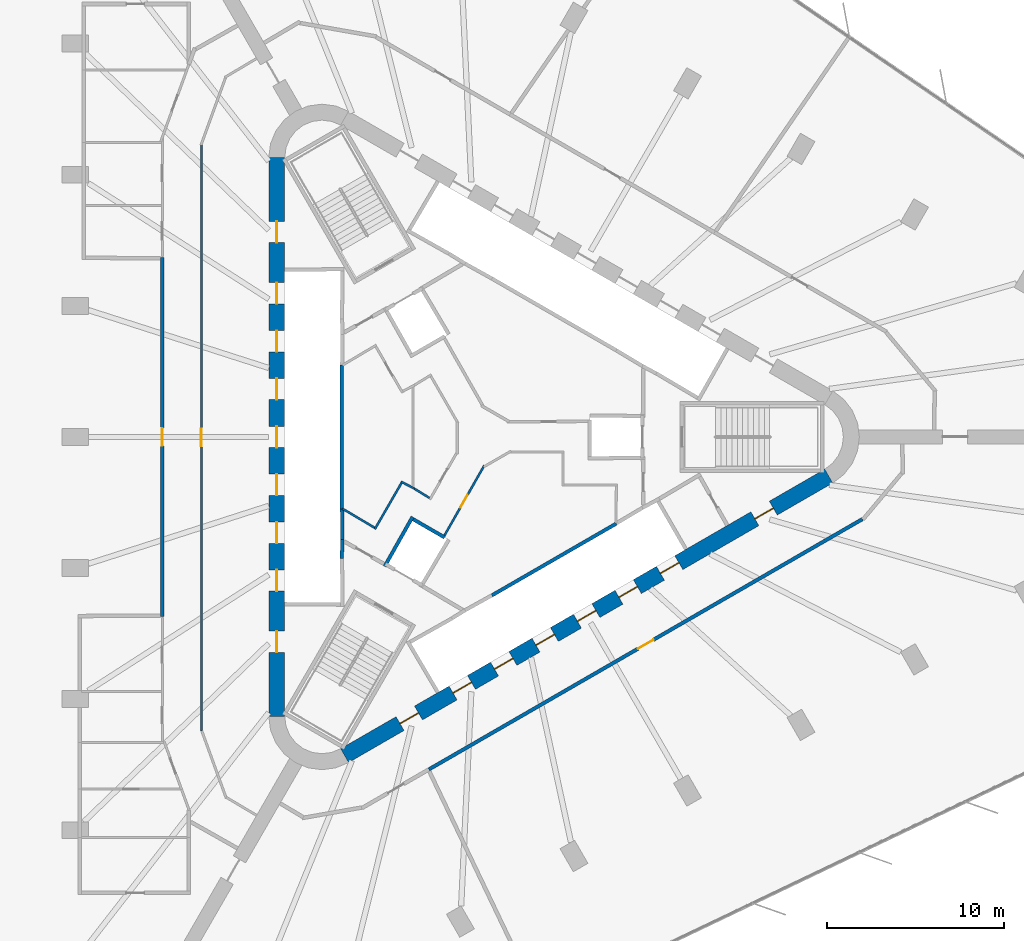
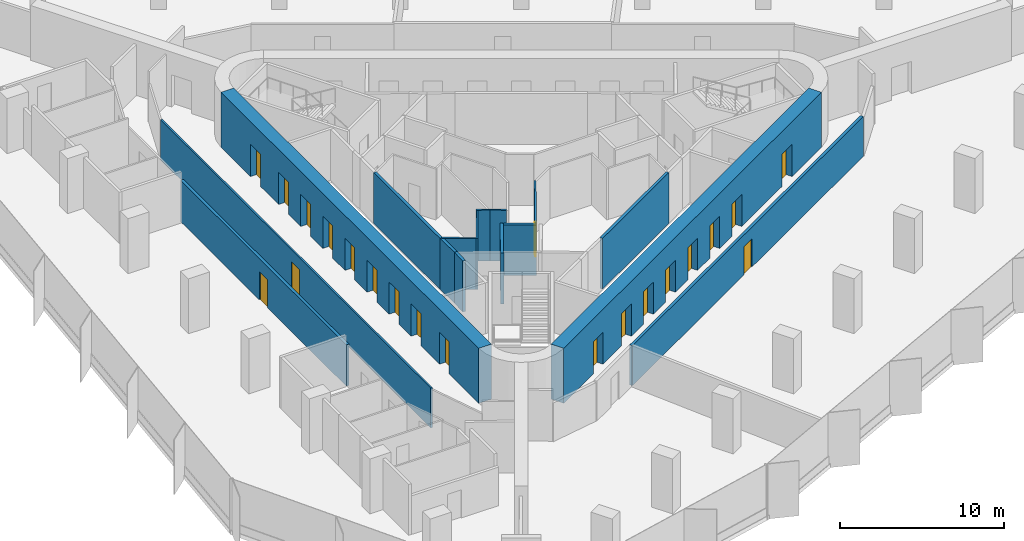
# One storey, part 10 of 15: 21 doors, 16 walls, 21 openings.
"""IFC4 building model written with IfcOpenShell, lengths in metres."""

from ifc_helpers import new_model, si_unit, direction, frame, frame_2d, origin, place, context, subcontext, project, spatial, rectangle, extrude, material, layer, layer_set, type_object, element, fill, save


model = new_model("IFC4")

# Units and contexts
model_context = context("Model", 3, precision=1e-05, world=origin(), true_north=direction((0.0, 1.0)))
body_context = subcontext(model_context, "Body", "Model", "MODEL_VIEW")
ifc_project = project(units=[si_unit("LENGTHUNIT", "METRE"), si_unit("AREAUNIT", "SQUARE_METRE"), si_unit("VOLUMEUNIT", "CUBIC_METRE"), si_unit("PLANEANGLEUNIT", "RADIAN"), si_unit("MASSUNIT", "GRAM", prefix="KILO")], contexts=[model_context])

# Site, building, storey
site_placement = place(None, origin())
site = spatial("IfcSite", under=ifc_project, at=site_placement, CompositionType="ELEMENT")
building_placement = place(site_placement, origin())
building = spatial("IfcBuilding", under=site, at=building_placement, Name="Tanit Gate Tower", CompositionType="ELEMENT")
storey_placement = place(building_placement, frame((0.0, 0.0, 102.89990234375)))
storey = spatial("IfcBuildingStorey", under=building, at=storey_placement, Name="L21", CompositionType="ELEMENT", Elevation=102.89990234375)

# Wall, openings, doors
ifc_material_1 = material(Name="Concrete C60/75", Category="concrete")
ifc_layer_1 = layer(ifc_material_1, 0.89990234375)
ifc_layer_set_1 = layer_set([ifc_layer_1], Name="CORE WALL 900 C60/75")
wall_type_1 = type_object("IfcWallType", Name="CORE WALL 900 C60/75", PredefinedType="SHEAR", material=ifc_layer_set_1)
wall_1_placement = place(storey_placement, frame((-11.64990234375, 15.76171875, 0.0), z_axis=(0.0, 0.0, 1.0), x_axis=(0.0, -1.0, 0.0)))
wall_1 = element("IfcWall", 1, at=wall_1_placement, inside=storey, type_object=wall_type_1, Name="CORE WALL", PredefinedType="SHEAR", context=body_context, shape_type="SweptSolid", body=[
    extrude(rectangle(XDim=31.5234375, YDim=0.89990234375, at=frame_2d((15.76171875, 0.0))), origin(), (0.0, 0.0, 1.0), 4.10009765625),
])
opening_1_placement = place(wall_1_placement, frame((7.061767578125, 0.0, 0.0)))
opening_1 = element("IfcOpeningElement", 2, at=opening_1_placement, cuts=wall_1, Name="Opening LDLL1-S04", PredefinedType="OPENING", context=body_context, shape_type="SweptSolid", body=[
    extrude(rectangle(XDim=1.199951171875, YDim=2.39990234375, at=frame_2d((0.60009765625, 1.199951171875))), frame((0.0, 0.4599609375, 0.0), z_axis=(0.0, -1.0, 0.0), x_axis=(1.0, 0.0, 0.0)), (0.0, 0.0, 1.0), 0.919921875),
])
opening_2_placement = place(wall_1_placement, frame((9.76171875, 0.0, 0.0)))
opening_2 = element("IfcOpeningElement", 3, at=opening_2_placement, cuts=wall_1, Name="Opening LDLL2-S04", PredefinedType="OPENING", context=body_context, shape_type="SweptSolid", body=[
    extrude(rectangle(XDim=1.199951171875, YDim=2.39990234375, at=frame_2d((0.60009765625, 1.199951171875))), frame((0.0, 0.4599609375, 0.0), z_axis=(0.0, -1.0, 0.0), x_axis=(1.0, 0.0, 0.0)), (0.0, 0.0, 1.0), 0.919921875),
])
opening_3_placement = place(wall_1_placement, frame((12.461669921875, 0.0, 0.0)))
opening_3 = element("IfcOpeningElement", 4, at=opening_3_placement, cuts=wall_1, Name="Opening LDLL3-S04", PredefinedType="OPENING", context=body_context, shape_type="SweptSolid", body=[
    extrude(rectangle(XDim=1.199951171875, YDim=2.39990234375, at=frame_2d((0.60009765625, 1.199951171875))), frame((0.0, 0.4599609375, 0.0), z_axis=(0.0, -1.0, 0.0), x_axis=(1.0, 0.0, 0.0)), (0.0, 0.0, 1.0), 0.919921875),
])
opening_4_placement = place(wall_1_placement, frame((15.16162109375, 0.0, 0.0)))
opening_4 = element("IfcOpeningElement", 5, at=opening_4_placement, cuts=wall_1, Name="Opening LDLL4-S04", PredefinedType="OPENING", context=body_context, shape_type="SweptSolid", body=[
    extrude(rectangle(XDim=1.199951171875, YDim=2.39990234375, at=frame_2d((0.60009765625, 1.199951171875))), frame((0.0, 0.4599609375, 0.0), z_axis=(0.0, -1.0, 0.0), x_axis=(1.0, 0.0, 0.0)), (0.0, 0.0, 1.0), 0.919921875),
])
opening_5_placement = place(wall_1_placement, frame((17.86181640625, 0.0, 0.0)))
opening_5 = element("IfcOpeningElement", 6, at=opening_5_placement, cuts=wall_1, Name="Opening LDLL5-S04", PredefinedType="OPENING", context=body_context, shape_type="SweptSolid", body=[
    extrude(rectangle(XDim=1.199951171875, YDim=2.39990234375, at=frame_2d((0.60009765625, 1.199951171875))), frame((0.0, 0.4599609375, 0.0), z_axis=(0.0, -1.0, 0.0), x_axis=(1.0, 0.0, 0.0)), (0.0, 0.0, 1.0), 0.919921875),
])
opening_6_placement = place(wall_1_placement, frame((20.561767578125, 0.0, 0.0)))
opening_6 = element("IfcOpeningElement", 7, at=opening_6_placement, cuts=wall_1, Name="Opening LDLL6-S04", PredefinedType="OPENING", context=body_context, shape_type="SweptSolid", body=[
    extrude(rectangle(XDim=1.199951171875, YDim=2.39990234375, at=frame_2d((0.60009765625, 1.199951171875))), frame((0.0, 0.4599609375, 0.0), z_axis=(0.0, -1.0, 0.0), x_axis=(1.0, 0.0, 0.0)), (0.0, 0.0, 1.0), 0.919921875),
])
opening_7_placement = place(wall_1_placement, frame((23.26171875, 0.0, 0.0)))
opening_7 = element("IfcOpeningElement", 8, at=opening_7_placement, cuts=wall_1, Name="Opening LDLL7-S04", PredefinedType="OPENING", context=body_context, shape_type="SweptSolid", body=[
    extrude(rectangle(XDim=1.199951171875, YDim=2.39990234375, at=frame_2d((0.60009765625, 1.199951171875))), frame((0.0, 0.4599609375, 0.0), z_axis=(0.0, -1.0, 0.0), x_axis=(1.0, 0.0, 0.0)), (0.0, 0.0, 1.0), 0.919921875),
])
opening_8_placement = place(wall_1_placement, frame((3.61181640625, 0.0, 0.0)))
opening_8 = element("IfcOpeningElement", 9, at=opening_8_placement, cuts=wall_1, Name="Opening F12-S04-FL2", PredefinedType="OPENING", context=body_context, shape_type="SweptSolid", body=[
    extrude(rectangle(XDim=1.199951171875, YDim=2.39990234375, at=frame_2d((0.60009765625, 1.199951171875))), frame((0.0, 0.4599609375, 0.0), z_axis=(0.0, -1.0, 0.0), x_axis=(1.0, 0.0, 0.0)), (0.0, 0.0, 1.0), 0.919921875),
])
opening_9_placement = place(wall_1_placement, frame((26.711669921875, 0.0, 0.0)))
opening_9 = element("IfcOpeningElement", 10, at=opening_9_placement, cuts=wall_1, Name="Opening F12-S04-S3", PredefinedType="OPENING", context=body_context, shape_type="SweptSolid", body=[
    extrude(rectangle(XDim=1.199951171875, YDim=2.39990234375, at=frame_2d((0.60009765625, 1.199951171875))), frame((0.0, 0.4599609375, 0.0), z_axis=(0.0, -1.0, 0.0), x_axis=(1.0, 0.0, 0.0)), (0.0, 0.0, 1.0), 0.919921875),
])
ifc_material_2 = material(Name="Fire-rated steel door leaf", Category="steel")
door_type_1 = type_object("IfcDoorType", Name="INT-DOOR-FIRE-LOBBY-1200", OperationType="NOTDEFINED", PredefinedType="USERDEFINED", material=ifc_material_2)
door_1_placement = place(opening_8_placement, origin())
door_1 = element("IfcDoor", 11, at=door_1_placement, inside=storey, type_object=door_type_1, Name="Door F12-S04-FL2", ObjectType="FIRE DOOR", OperationType="SINGLE_SWING_LEFT", OverallHeight=2.39990234375, OverallWidth=1.199951171875, PredefinedType="USERDEFINED", context=body_context, shape_type="SweptSolid", body=[
    extrude(rectangle(XDim=1.199951171875, YDim=2.39990234375, at=frame_2d((0.60009765625, 1.199951171875))), frame((0.0, 0.02490234375, 0.0), z_axis=(0.0, -1.0, 0.0), x_axis=(1.0, 0.0, 0.0)), (0.0, 0.0, 1.0), 0.050048828125),
])
fill(opening_8, door_1)
door_2_placement = place(opening_9_placement, origin())
door_2 = element("IfcDoor", 12, at=door_2_placement, inside=storey, type_object=door_type_1, Name="Door F12-S04-S3", ObjectType="FIRE DOOR", OperationType="SINGLE_SWING_RIGHT", OverallHeight=2.39990234375, OverallWidth=1.199951171875, PredefinedType="USERDEFINED", context=body_context, shape_type="SweptSolid", body=[
    extrude(rectangle(XDim=1.199951171875, YDim=2.39990234375, at=frame_2d((0.60009765625, 1.199951171875))), frame((0.0, 0.02490234375, 0.0), z_axis=(0.0, -1.0, 0.0), x_axis=(1.0, 0.0, 0.0)), (0.0, 0.0, 1.0), 0.050048828125),
])
fill(opening_9, door_2)
ifc_material_3 = material(Name="Stainless steel sliding door leaf", Category="steel")
door_type_2 = type_object("IfcDoorType", Name="INT-DOOR-LANDING-1200", OperationType="NOTDEFINED", PredefinedType="USERDEFINED", material=ifc_material_3)
door_3_placement = place(opening_1_placement, origin())
door_3 = element("IfcDoor", 13, at=door_3_placement, inside=storey, type_object=door_type_2, Name="Door LDLL1-S04", ObjectType="LANDING DOOR", OperationType="SLIDING_TO_LEFT", OverallHeight=2.39990234375, OverallWidth=1.199951171875, PredefinedType="USERDEFINED", context=body_context, shape_type="SweptSolid", body=[
    extrude(rectangle(XDim=1.199951171875, YDim=2.39990234375, at=frame_2d((0.60009765625, 1.199951171875))), frame((0.0, 0.02490234375, 0.0), z_axis=(0.0, -1.0, 0.0), x_axis=(1.0, 0.0, 0.0)), (0.0, 0.0, 1.0), 0.050048828125),
])
fill(opening_1, door_3)
door_4_placement = place(opening_2_placement, origin())
door_4 = element("IfcDoor", 14, at=door_4_placement, inside=storey, type_object=door_type_2, Name="Door LDLL2-S04", ObjectType="LANDING DOOR", OperationType="SLIDING_TO_LEFT", OverallHeight=2.39990234375, OverallWidth=1.199951171875, PredefinedType="USERDEFINED", context=body_context, shape_type="SweptSolid", body=[
    extrude(rectangle(XDim=1.199951171875, YDim=2.39990234375, at=frame_2d((0.60009765625, 1.199951171875))), frame((0.0, 0.02490234375, 0.0), z_axis=(0.0, -1.0, 0.0), x_axis=(1.0, 0.0, 0.0)), (0.0, 0.0, 1.0), 0.050048828125),
])
fill(opening_2, door_4)
door_5_placement = place(opening_3_placement, origin())
door_5 = element("IfcDoor", 15, at=door_5_placement, inside=storey, type_object=door_type_2, Name="Door LDLL3-S04", ObjectType="LANDING DOOR", OperationType="SLIDING_TO_LEFT", OverallHeight=2.39990234375, OverallWidth=1.199951171875, PredefinedType="USERDEFINED", context=body_context, shape_type="SweptSolid", body=[
    extrude(rectangle(XDim=1.199951171875, YDim=2.39990234375, at=frame_2d((0.60009765625, 1.199951171875))), frame((0.0, 0.02490234375, 0.0), z_axis=(0.0, -1.0, 0.0), x_axis=(1.0, 0.0, 0.0)), (0.0, 0.0, 1.0), 0.050048828125),
])
fill(opening_3, door_5)
door_6_placement = place(opening_4_placement, origin())
door_6 = element("IfcDoor", 16, at=door_6_placement, inside=storey, type_object=door_type_2, Name="Door LDLL4-S04", ObjectType="LANDING DOOR", OperationType="SLIDING_TO_LEFT", OverallHeight=2.39990234375, OverallWidth=1.199951171875, PredefinedType="USERDEFINED", context=body_context, shape_type="SweptSolid", body=[
    extrude(rectangle(XDim=1.199951171875, YDim=2.39990234375, at=frame_2d((0.60009765625, 1.199951171875))), frame((0.0, 0.02490234375, 0.0), z_axis=(0.0, -1.0, 0.0), x_axis=(1.0, 0.0, 0.0)), (0.0, 0.0, 1.0), 0.050048828125),
])
fill(opening_4, door_6)
door_7_placement = place(opening_5_placement, origin())
door_7 = element("IfcDoor", 17, at=door_7_placement, inside=storey, type_object=door_type_2, Name="Door LDLL5-S04", ObjectType="LANDING DOOR", OperationType="SLIDING_TO_LEFT", OverallHeight=2.39990234375, OverallWidth=1.199951171875, PredefinedType="USERDEFINED", context=body_context, shape_type="SweptSolid", body=[
    extrude(rectangle(XDim=1.199951171875, YDim=2.39990234375, at=frame_2d((0.60009765625, 1.199951171875))), frame((0.0, 0.02490234375, 0.0), z_axis=(0.0, -1.0, 0.0), x_axis=(1.0, 0.0, 0.0)), (0.0, 0.0, 1.0), 0.050048828125),
])
fill(opening_5, door_7)
door_8_placement = place(opening_6_placement, origin())
door_8 = element("IfcDoor", 18, at=door_8_placement, inside=storey, type_object=door_type_2, Name="Door LDLL6-S04", ObjectType="LANDING DOOR", OperationType="SLIDING_TO_LEFT", OverallHeight=2.39990234375, OverallWidth=1.199951171875, PredefinedType="USERDEFINED", context=body_context, shape_type="SweptSolid", body=[
    extrude(rectangle(XDim=1.199951171875, YDim=2.39990234375, at=frame_2d((0.60009765625, 1.199951171875))), frame((0.0, 0.02490234375, 0.0), z_axis=(0.0, -1.0, 0.0), x_axis=(1.0, 0.0, 0.0)), (0.0, 0.0, 1.0), 0.050048828125),
])
fill(opening_6, door_8)
door_9_placement = place(opening_7_placement, origin())
door_9 = element("IfcDoor", 19, at=door_9_placement, inside=storey, type_object=door_type_2, Name="Door LDLL7-S04", ObjectType="LANDING DOOR", OperationType="SLIDING_TO_LEFT", OverallHeight=2.39990234375, OverallWidth=1.199951171875, PredefinedType="USERDEFINED", context=body_context, shape_type="SweptSolid", body=[
    extrude(rectangle(XDim=1.199951171875, YDim=2.39990234375, at=frame_2d((0.60009765625, 1.199951171875))), frame((0.0, 0.02490234375, 0.0), z_axis=(0.0, -1.0, 0.0), x_axis=(1.0, 0.0, 0.0)), (0.0, 0.0, 1.0), 0.050048828125),
])
fill(opening_7, door_9)

wall_2_placement = place(storey_placement, frame((-7.824951171875, -17.969970703125, 0.0), z_axis=(0.0, 0.0, 1.0), x_axis=(0.866028369851, 0.499994862586, 0.0)))
wall_2 = element("IfcWall", 20, at=wall_2_placement, inside=storey, type_object=wall_type_1, Name="CORE WALL", PredefinedType="SHEAR", context=body_context, shape_type="SweptSolid", body=[
    extrude(rectangle(XDim=31.523193359375, YDim=0.89990234375, at=frame_2d((15.76171875, 0.0))), origin(), (0.0, 0.0, 1.0), 4.10009765625),
])
opening_10_placement = place(wall_2_placement, frame((7.061767578125, 0.0, 0.0)))
opening_10 = element("IfcOpeningElement", 21, at=opening_10_placement, cuts=wall_2, Name="Opening LDSX1-S04", PredefinedType="OPENING", context=body_context, shape_type="SweptSolid", body=[
    extrude(rectangle(XDim=1.199951171875, YDim=2.39990234375, at=frame_2d((0.60009765625, 1.199951171875))), frame((0.0, 0.4599609375, 0.0), z_axis=(0.0, -1.0, 0.0), x_axis=(1.0, 0.0, 0.0)), (0.0, 0.0, 1.0), 0.919921875),
])
opening_11_placement = place(wall_2_placement, frame((9.76171875, 0.0, 0.0)))
opening_11 = element("IfcOpeningElement", 22, at=opening_11_placement, cuts=wall_2, Name="Opening LDSX2-S04", PredefinedType="OPENING", context=body_context, shape_type="SweptSolid", body=[
    extrude(rectangle(XDim=1.199951171875, YDim=2.39990234375, at=frame_2d((0.60009765625, 1.199951171875))), frame((0.0, 0.4599609375, 0.0), z_axis=(0.0, -1.0, 0.0), x_axis=(1.0, 0.0, 0.0)), (0.0, 0.0, 1.0), 0.919921875),
])
opening_12_placement = place(wall_2_placement, frame((12.461669921875, 0.0, 0.0)))
opening_12 = element("IfcOpeningElement", 23, at=opening_12_placement, cuts=wall_2, Name="Opening LDSX3-S04", PredefinedType="OPENING", context=body_context, shape_type="SweptSolid", body=[
    extrude(rectangle(XDim=1.199951171875, YDim=2.39990234375, at=frame_2d((0.60009765625, 1.199951171875))), frame((0.0, 0.4599609375, 0.0), z_axis=(0.0, -1.0, 0.0), x_axis=(1.0, 0.0, 0.0)), (0.0, 0.0, 1.0), 0.919921875),
])
opening_13_placement = place(wall_2_placement, frame((15.16162109375, 0.0, 0.0)))
opening_13 = element("IfcOpeningElement", 24, at=opening_13_placement, cuts=wall_2, Name="Opening LDSX4-S04", PredefinedType="OPENING", context=body_context, shape_type="SweptSolid", body=[
    extrude(rectangle(XDim=1.199951171875, YDim=2.39990234375, at=frame_2d((0.60009765625, 1.199951171875))), frame((0.0, 0.4599609375, 0.0), z_axis=(0.0, -1.0, 0.0), x_axis=(1.0, 0.0, 0.0)), (0.0, 0.0, 1.0), 0.919921875),
])
opening_14_placement = place(wall_2_placement, frame((17.861572265625, 0.0, 0.0)))
opening_14 = element("IfcOpeningElement", 25, at=opening_14_placement, cuts=wall_2, Name="Opening LDSV1-S04", PredefinedType="OPENING", context=body_context, shape_type="SweptSolid", body=[
    extrude(rectangle(XDim=1.199951171875, YDim=2.39990234375, at=frame_2d((0.60009765625, 1.199951171875))), frame((0.0, 0.4599609375, 0.0), z_axis=(0.0, -1.0, 0.0), x_axis=(1.0, 0.0, 0.0)), (0.0, 0.0, 1.0), 0.919921875),
])
opening_15_placement = place(wall_2_placement, frame((20.561767578125, 0.0, 0.0)))
opening_15 = element("IfcOpeningElement", 26, at=opening_15_placement, cuts=wall_2, Name="Opening LDSV2-S04", PredefinedType="OPENING", context=body_context, shape_type="SweptSolid", body=[
    extrude(rectangle(XDim=1.199951171875, YDim=2.39990234375, at=frame_2d((0.60009765625, 1.199951171875))), frame((0.0, 0.4599609375, 0.0), z_axis=(0.0, -1.0, 0.0), x_axis=(1.0, 0.0, 0.0)), (0.0, 0.0, 1.0), 0.919921875),
])
opening_16_placement = place(wall_2_placement, frame((26.711669921875, 0.0, 0.0)))
opening_16 = element("IfcOpeningElement", 27, at=opening_16_placement, cuts=wall_2, Name="Opening F12-S04-S1", PredefinedType="OPENING", context=body_context, shape_type="SweptSolid", body=[
    extrude(rectangle(XDim=1.199951171875, YDim=2.39990234375, at=frame_2d((0.60009765625, 1.199951171875))), frame((0.0, 0.4599609375, 0.0), z_axis=(0.0, -1.0, 0.0), x_axis=(1.0, 0.0, 0.0)), (0.0, 0.0, 1.0), 0.919921875),
])
opening_17_placement = place(wall_2_placement, frame((3.611572265625, 0.0, 0.0)))
opening_17 = element("IfcOpeningElement", 28, at=opening_17_placement, cuts=wall_2, Name="Opening F12-S04-FL3", PredefinedType="OPENING", context=body_context, shape_type="SweptSolid", body=[
    extrude(rectangle(XDim=1.199951171875, YDim=2.39990234375, at=frame_2d((0.60009765625, 1.199951171875))), frame((0.0, 0.4599609375, 0.0), z_axis=(0.0, -1.0, 0.0), x_axis=(1.0, 0.0, 0.0)), (0.0, 0.0, 1.0), 0.919921875),
])
door_10_placement = place(opening_16_placement, origin())
door_10 = element("IfcDoor", 29, at=door_10_placement, inside=storey, type_object=door_type_1, Name="Door F12-S04-S1", ObjectType="FIRE DOOR", OperationType="SINGLE_SWING_RIGHT", OverallHeight=2.39990234375, OverallWidth=1.199951171875, PredefinedType="USERDEFINED", context=body_context, shape_type="SweptSolid", body=[
    extrude(rectangle(XDim=1.199951171875, YDim=2.39990234375, at=frame_2d((0.60009765625, 1.199951171875))), frame((0.0, 0.02490234375, 0.0), z_axis=(0.0, -1.0, 0.0), x_axis=(1.0, 0.0, 0.0)), (0.0, 0.0, 1.0), 0.050048828125),
])
fill(opening_16, door_10)
door_11_placement = place(opening_17_placement, origin())
door_11 = element("IfcDoor", 30, at=door_11_placement, inside=storey, type_object=door_type_1, Name="Door F12-S04-FL3", ObjectType="FIRE DOOR", OperationType="SINGLE_SWING_RIGHT", OverallHeight=2.39990234375, OverallWidth=1.199951171875, PredefinedType="USERDEFINED", context=body_context, shape_type="SweptSolid", body=[
    extrude(rectangle(XDim=1.199951171875, YDim=2.39990234375, at=frame_2d((0.60009765625, 1.199951171875))), frame((0.0, 0.02490234375, 0.0), z_axis=(0.0, -1.0, 0.0), x_axis=(1.0, 0.0, 0.0)), (0.0, 0.0, 1.0), 0.050048828125),
])
fill(opening_17, door_11)
door_12_placement = place(opening_10_placement, origin())
door_12 = element("IfcDoor", 31, at=door_12_placement, inside=storey, type_object=door_type_2, Name="Door LDSX1-S04", ObjectType="LANDING DOOR", OperationType="SLIDING_TO_LEFT", OverallHeight=2.39990234375, OverallWidth=1.199951171875, PredefinedType="USERDEFINED", context=body_context, shape_type="SweptSolid", body=[
    extrude(rectangle(XDim=1.199951171875, YDim=2.39990234375, at=frame_2d((0.60009765625, 1.199951171875))), frame((0.0, 0.02490234375, 0.0), z_axis=(0.0, -1.0, 0.0), x_axis=(1.0, 0.0, 0.0)), (0.0, 0.0, 1.0), 0.050048828125),
])
fill(opening_10, door_12)
door_13_placement = place(opening_11_placement, origin())
door_13 = element("IfcDoor", 32, at=door_13_placement, inside=storey, type_object=door_type_2, Name="Door LDSX2-S04", ObjectType="LANDING DOOR", OperationType="SLIDING_TO_LEFT", OverallHeight=2.39990234375, OverallWidth=1.199951171875, PredefinedType="USERDEFINED", context=body_context, shape_type="SweptSolid", body=[
    extrude(rectangle(XDim=1.199951171875, YDim=2.39990234375, at=frame_2d((0.60009765625, 1.199951171875))), frame((0.0, 0.02490234375, 0.0), z_axis=(0.0, -1.0, 0.0), x_axis=(1.0, 0.0, 0.0)), (0.0, 0.0, 1.0), 0.050048828125),
])
fill(opening_11, door_13)
door_14_placement = place(opening_12_placement, origin())
door_14 = element("IfcDoor", 33, at=door_14_placement, inside=storey, type_object=door_type_2, Name="Door LDSX3-S04", ObjectType="LANDING DOOR", OperationType="SLIDING_TO_LEFT", OverallHeight=2.39990234375, OverallWidth=1.199951171875, PredefinedType="USERDEFINED", context=body_context, shape_type="SweptSolid", body=[
    extrude(rectangle(XDim=1.199951171875, YDim=2.39990234375, at=frame_2d((0.60009765625, 1.199951171875))), frame((0.0, 0.02490234375, 0.0), z_axis=(0.0, -1.0, 0.0), x_axis=(1.0, 0.0, 0.0)), (0.0, 0.0, 1.0), 0.050048828125),
])
fill(opening_12, door_14)
door_15_placement = place(opening_13_placement, origin())
door_15 = element("IfcDoor", 34, at=door_15_placement, inside=storey, type_object=door_type_2, Name="Door LDSX4-S04", ObjectType="LANDING DOOR", OperationType="SLIDING_TO_LEFT", OverallHeight=2.39990234375, OverallWidth=1.199951171875, PredefinedType="USERDEFINED", context=body_context, shape_type="SweptSolid", body=[
    extrude(rectangle(XDim=1.199951171875, YDim=2.39990234375, at=frame_2d((0.60009765625, 1.199951171875))), frame((0.0, 0.02490234375, 0.0), z_axis=(0.0, -1.0, 0.0), x_axis=(1.0, 0.0, 0.0)), (0.0, 0.0, 1.0), 0.050048828125),
])
fill(opening_13, door_15)
door_16_placement = place(opening_14_placement, origin())
door_16 = element("IfcDoor", 35, at=door_16_placement, inside=storey, type_object=door_type_2, Name="Door LDSV1-S04", ObjectType="LANDING DOOR", OperationType="SLIDING_TO_LEFT", OverallHeight=2.39990234375, OverallWidth=1.199951171875, PredefinedType="USERDEFINED", context=body_context, shape_type="SweptSolid", body=[
    extrude(rectangle(XDim=1.199951171875, YDim=2.39990234375, at=frame_2d((0.60009765625, 1.199951171875))), frame((0.0, 0.02490234375, 0.0), z_axis=(0.0, -1.0, 0.0), x_axis=(1.0, 0.0, 0.0)), (0.0, 0.0, 1.0), 0.050048828125),
])
fill(opening_14, door_16)
door_17_placement = place(opening_15_placement, origin())
door_17 = element("IfcDoor", 36, at=door_17_placement, inside=storey, type_object=door_type_2, Name="Door LDSV2-S04", ObjectType="LANDING DOOR", OperationType="SLIDING_TO_LEFT", OverallHeight=2.39990234375, OverallWidth=1.199951171875, PredefinedType="USERDEFINED", context=body_context, shape_type="SweptSolid", body=[
    extrude(rectangle(XDim=1.199951171875, YDim=2.39990234375, at=frame_2d((0.60009765625, 1.199951171875))), frame((0.0, 0.02490234375, 0.0), z_axis=(0.0, -1.0, 0.0), x_axis=(1.0, 0.0, 0.0)), (0.0, 0.0, 1.0), 0.050048828125),
])
fill(opening_15, door_17)

# Wall, opening, door
ifc_material_4 = material(Name="Fire-rated gypsum board partition")
ifc_layer_2 = layer(ifc_material_4, 0.199951171875)
ifc_layer_set_2 = layer_set([ifc_layer_2], Name="INT-WALL-COMPARTMENT")
wall_type_2 = type_object("IfcWallType", Name="INT-WALL-COMPARTMENT", PredefinedType="PARTITIONING", material=ifc_layer_set_2)
wall_3_placement = place(storey_placement, frame((-18.10009765625, 10.1298828125, 0.0), z_axis=(0.0, 0.0, 1.0), x_axis=(0.0, -1.0, 0.0)))
wall_3 = element("IfcWall", 37, at=wall_3_placement, inside=storey, type_object=wall_type_2, Name="Wall Compartment W091", PredefinedType="PARTITIONING", context=body_context, shape_type="SweptSolid", body=[
    extrude(rectangle(XDim=20.259765625, YDim=0.199951171875, at=frame_2d((10.1298828125, 0.0))), origin(), (0.0, 0.0, 1.0), 3.080078125),
])
opening_18_placement = place(wall_3_placement, frame((9.6298828125, 0.0, 0.0)))
opening_18 = element("IfcOpeningElement", 38, at=opening_18_placement, cuts=wall_3, Name="Opening F10-S04-25", PredefinedType="OPENING", context=body_context, shape_type="SweptSolid", body=[
    extrude(rectangle(XDim=1.0, YDim=2.10009765625, at=frame_2d((0.5, 1.050048828125))), frame((0.0, 0.10986328125, 0.0), z_axis=(0.0, -1.0, 0.0), x_axis=(1.0, 0.0, 0.0)), (0.0, 0.0, 1.0), 0.219970703125),
])
ifc_material_5 = material(Name="Fire-rated steel door leaf", Category="steel")
door_type_3 = type_object("IfcDoorType", Name="INT-DOOR-FIRE-1000", OperationType="NOTDEFINED", PredefinedType="USERDEFINED", material=ifc_material_5)
door_18_placement = place(opening_18_placement, origin())
door_18 = element("IfcDoor", 39, at=door_18_placement, inside=storey, type_object=door_type_3, Name="Door F10-S04-25", ObjectType="FIRE DOOR", OperationType="SINGLE_SWING_RIGHT", OverallHeight=2.10009765625, OverallWidth=1.0, PredefinedType="USERDEFINED", context=body_context, shape_type="SweptSolid", body=[
    extrude(rectangle(XDim=1.0, YDim=2.10009765625, at=frame_2d((0.5, 1.050048828125))), frame((0.0, 0.02490234375, 0.0), z_axis=(0.0, -1.0, 0.0), x_axis=(1.0, 0.0, 0.0)), (0.0, 0.0, 1.0), 0.050048828125),
])
fill(opening_18, door_18)

wall_4_placement = place(storey_placement, frame((-3.071533203125, -18.747314453125, 0.0), z_axis=(0.0, 0.0, 1.0), x_axis=(0.866027760718, 0.499995917648, 0.0)))
wall_4 = element("IfcWall", 40, at=wall_4_placement, inside=storey, type_object=wall_type_2, Name="Wall Compartment W112", PredefinedType="PARTITIONING", context=body_context, shape_type="SweptSolid", body=[
    extrude(rectangle(XDim=28.233154296875, YDim=0.199951171875, at=frame_2d((14.11669921875, 0.0))), origin(), (0.0, 0.0, 1.0), 2.97998046875),
])
opening_19_placement = place(wall_4_placement, frame((13.61669921875, 0.0, 0.0)))
opening_19 = element("IfcOpeningElement", 41, at=opening_19_placement, cuts=wall_4, Name="Opening F10-S04-29", PredefinedType="OPENING", context=body_context, shape_type="SweptSolid", body=[
    extrude(rectangle(XDim=1.0, YDim=2.10009765625, at=frame_2d((0.5, 1.050048828125))), frame((0.0, 0.10986328125, 0.0), z_axis=(0.0, -1.0, 0.0), x_axis=(1.0, 0.0, 0.0)), (0.0, 0.0, 1.0), 0.219970703125),
])
door_19_placement = place(opening_19_placement, origin())
door_19 = element("IfcDoor", 42, at=door_19_placement, inside=storey, type_object=door_type_3, Name="Door F10-S04-29", ObjectType="FIRE DOOR", OperationType="SINGLE_SWING_LEFT", OverallHeight=2.10009765625, OverallWidth=1.0, PredefinedType="USERDEFINED", context=body_context, shape_type="SweptSolid", body=[
    extrude(rectangle(XDim=1.0, YDim=2.10009765625, at=frame_2d((0.5, 1.050048828125))), frame((0.0, 0.02490234375, 0.0), z_axis=(0.0, -1.0, 0.0), x_axis=(1.0, 0.0, 0.0)), (0.0, 0.0, 1.0), 0.050048828125),
])
fill(opening_19, door_19)

ifc_material_6 = material(Name="Gypsum board partition")
ifc_layer_3 = layer(ifc_material_6, 0.1201171875)
ifc_layer_set_3 = layer_set([ifc_layer_3], Name="INT-WALL-PARTITION")
wall_type_3 = type_object("IfcWallType", Name="INT-WALL-PARTITION", PredefinedType="PARTITIONING", material=ifc_layer_set_3)
wall_5_placement = place(storey_placement, frame((0.050537109375, -1.611083984375, 0.0), z_axis=(0.0, 0.0, 1.0), x_axis=(-0.49434454467, -0.869266053148, 0.0)))
wall_5 = element("IfcWall", 43, at=wall_5_placement, inside=storey, type_object=wall_type_3, Name="Wall Partition W068", PredefinedType="PARTITIONING", context=body_context, shape_type="SweptSolid", body=[
    extrude(rectangle(XDim=4.5302734375, YDim=0.1201171875, at=frame_2d((2.26513671875, 0.0))), origin(), (0.0, 0.0, 1.0), 3.800048828125),
])
opening_20_placement = place(wall_5_placement, frame((1.916259765625, 0.0, 0.0)))
opening_20 = element("IfcOpeningElement", 44, at=opening_20_placement, cuts=wall_5, Name="Opening R08-S04-11", PredefinedType="OPENING", context=body_context, shape_type="SweptSolid", body=[
    extrude(rectangle(XDim=0.800048828125, YDim=2.10009765625, at=frame_2d((0.39990234375, 1.050048828125))), frame((0.0, 0.070068359375, 0.0), z_axis=(0.0, -1.0, 0.0), x_axis=(1.0, 0.0, 0.0)), (0.0, 0.0, 1.0), 0.14013671875),
])
ifc_material_7 = material(Name="Timber door leaf", Category="wood")
door_type_4 = type_object("IfcDoorType", Name="INT-DOOR-RISER-800", OperationType="NOTDEFINED", PredefinedType="USERDEFINED", material=ifc_material_7)
door_20_placement = place(opening_20_placement, origin())
door_20 = element("IfcDoor", 45, at=door_20_placement, inside=storey, type_object=door_type_4, Name="Door R08-S04-11", ObjectType="FIRE DOOR", OperationType="SINGLE_SWING_RIGHT", OverallHeight=2.10009765625, OverallWidth=0.800048828125, PredefinedType="USERDEFINED", context=body_context, shape_type="SweptSolid", body=[
    extrude(rectangle(XDim=0.800048828125, YDim=2.10009765625, at=frame_2d((0.39990234375, 1.050048828125))), frame((0.0, 0.02490234375, 0.0), z_axis=(0.0, -1.0, 0.0), x_axis=(1.0, 0.0, 0.0)), (0.0, 0.0, 1.0), 0.050048828125),
])
fill(opening_20, door_20)

# Walls
wall_6_placement = place(storey_placement, frame((-4.641357421875, -2.519287109375, 0.0), z_axis=(0.0, 0.0, 1.0), x_axis=(0.885386208329, -0.464856173564, 0.0)))
element("IfcWall", 46, at=wall_6_placement, inside=storey, type_object=wall_type_3, Name="Wall Partition W075", PredefinedType="PARTITIONING", context=body_context, shape_type="SweptSolid", body=[
    extrude(rectangle(XDim=0.859130859375, YDim=0.1201171875, at=frame_2d((0.4296875, 0.0))), origin(), (0.0, 0.0, 1.0), 3.800048828125),
])
wall_7_placement = place(storey_placement, frame((-6.1181640625, -5.197265625, 0.0), z_axis=(0.0, 0.0, 1.0), x_axis=(0.499990139034, 0.866031096941, 0.0)))
element("IfcWall", 47, at=wall_7_placement, inside=storey, type_object=wall_type_3, Name="Wall Partition W076", PredefinedType="PARTITIONING", context=body_context, shape_type="SweptSolid", body=[
    extrude(rectangle(XDim=3.0, YDim=0.1201171875, at=frame_2d((1.5, 0.0))), origin(), (0.0, 0.0, 1.0), 3.800048828125),
])
wall_8_placement = place(storey_placement, frame((-7.949951171875, -4.041015625, 0.0), z_axis=(0.0, 0.0, 1.0), x_axis=(0.860112457103, -0.510104461004, 0.0)))
element("IfcWall", 48, at=wall_8_placement, inside=storey, type_object=wall_type_3, Name="Wall Partition W077", PredefinedType="PARTITIONING", context=body_context, shape_type="SweptSolid", body=[
    extrude(rectangle(XDim=2.1044921875, YDim=0.1201171875, at=frame_2d((1.05224609375, 0.0))), origin(), (0.0, 0.0, 1.0), 3.800048828125),
])
wall_9_placement = place(storey_placement, frame((-3.882568359375, -2.92236328125, 0.0), z_axis=(0.0, 0.0, 1.0), x_axis=(0.852477364208, -0.522764137554, 0.0)))
element("IfcWall", 49, at=wall_9_placement, inside=storey, type_object=wall_type_3, Name="Wall Partition W085", PredefinedType="PARTITIONING", context=body_context, shape_type="SweptSolid", body=[
    extrude(rectangle(XDim=0.991455078125, YDim=0.1201171875, at=frame_2d((0.49560546875, 0.0))), origin(), (0.0, 0.0, 1.0), 3.800048828125),
])

# Wall, opening, door
wall_10_placement = place(storey_placement, frame((-15.89990234375, 16.451171875, 0.0), z_axis=(0.0, 0.0, 1.0), x_axis=(0.0, -1.0, 0.0)))
wall_10 = element("IfcWall", 50, at=wall_10_placement, inside=storey, type_object=wall_type_3, Name="Wall Partition W088", PredefinedType="PARTITIONING", context=body_context, shape_type="SweptSolid", body=[
    extrude(rectangle(XDim=33.022216796875, YDim=0.1201171875, at=frame_2d((16.51123046875, 0.0))), origin(), (0.0, 0.0, 1.0), 2.97998046875),
])
opening_21_placement = place(wall_10_placement, frame((15.981201171875, 0.0, 0.0)))
opening_21 = element("IfcOpeningElement", 51, at=opening_21_placement, cuts=wall_10, Name="Opening D10-S04-15", PredefinedType="OPENING", context=body_context, shape_type="SweptSolid", body=[
    extrude(rectangle(XDim=1.0, YDim=2.10009765625, at=frame_2d((0.5, 1.050048828125))), frame((0.0, 0.070068359375, 0.0), z_axis=(0.0, -1.0, 0.0), x_axis=(1.0, 0.0, 0.0)), (0.0, 0.0, 1.0), 0.14013671875),
])
ifc_material_8 = material(Name="Timber door leaf", Category="wood")
door_type_5 = type_object("IfcDoorType", Name="INT-DOOR-SINGLE-1000", OperationType="NOTDEFINED", PredefinedType="NOTDEFINED", material=ifc_material_8)
door_21_placement = place(opening_21_placement, origin())
door_21 = element("IfcDoor", 52, at=door_21_placement, inside=storey, type_object=door_type_5, Name="Door D10-S04-15", OperationType="SINGLE_SWING_LEFT", OverallHeight=2.10009765625, OverallWidth=1.0, PredefinedType="NOTDEFINED", context=body_context, shape_type="SweptSolid", body=[
    extrude(rectangle(XDim=1.0, YDim=2.10009765625, at=frame_2d((0.5, 1.050048828125))), frame((0.0, 0.02490234375, 0.0), z_axis=(0.0, -1.0, 0.0), x_axis=(1.0, 0.0, 0.0)), (0.0, 0.0, 1.0), 0.050048828125),
])
fill(opening_21, door_21)

# Walls
ifc_material_9 = material(Name="Gypsum shaft wall system")
ifc_layer_4 = layer(ifc_material_9, 0.199951171875)
ifc_layer_set_4 = layer_set([ifc_layer_4], Name="INT-WALL-SHAFT")
wall_type_4 = type_object("IfcWallType", Name="INT-WALL-SHAFT", PredefinedType="PLUMBINGWALL", material=ifc_layer_set_4)
wall_11_placement = place(storey_placement, frame((-7.97998046875, 4.050048828125, 0.0), z_axis=(0.0, 0.0, 1.0), x_axis=(0.0, -1.0, 0.0)))
element("IfcWall", 53, at=wall_11_placement, inside=storey, type_object=wall_type_4, Name="Wall Shaft W006", PredefinedType="PLUMBINGWALL", context=body_context, shape_type="SweptSolid", body=[
    extrude(rectangle(XDim=8.10009765625, YDim=0.199951171875, at=frame_2d((4.050048828125, 0.0))), origin(), (0.0, 0.0, 1.0), 3.800048828125),
])
wall_12_placement = place(storey_placement, frame((-7.949951171875, -5.7724609375, 0.0), z_axis=(0.0, 0.0, 1.0), x_axis=(-0.030803413295, -0.999525462272, 0.0)))
element("IfcWall", 54, at=wall_12_placement, inside=storey, type_object=wall_type_4, Name="Wall Shaft W009", PredefinedType="PLUMBINGWALL", context=body_context, shape_type="SweptSolid", body=[
    extrude(rectangle(XDim=1.077880859375, YDim=0.199951171875, at=frame_2d((0.5390625, 0.0))), origin(), (0.0, 0.0, 1.0), 3.800048828125),
])
wall_13_placement = place(storey_placement, frame((-7.971435546875, -4.050048828125, 0.0), z_axis=(0.0, 0.0, 1.0), x_axis=(0.012042535896, -0.999927486035, 0.0)))
element("IfcWall", 55, at=wall_13_placement, inside=storey, type_object=wall_type_4, Name="Wall Shaft W010", PredefinedType="PLUMBINGWALL", context=body_context, shape_type="SweptSolid", body=[
    extrude(rectangle(XDim=1.844970703125, YDim=0.199951171875, at=frame_2d((0.92236328125, 0.0))), origin(), (0.0, 0.0, 1.0), 3.800048828125),
])
wall_14_placement = place(storey_placement, frame((0.482666015625, -8.935791015625, 0.0), z_axis=(0.0, 0.0, 1.0), x_axis=(0.866030989016, 0.499990325971, 0.0)))
element("IfcWall", 56, at=wall_14_placement, inside=storey, type_object=wall_type_4, Name="Wall Shaft W031", PredefinedType="PLUMBINGWALL", context=body_context, shape_type="SweptSolid", body=[
    extrude(rectangle(XDim=8.099853515625, YDim=0.199951171875, at=frame_2d((4.0498046875, 0.0))), origin(), (0.0, 0.0, 1.0), 3.800048828125),
])
wall_15_placement = place(storey_placement, frame((-3.989990234375, -4.509033203125, 0.0), z_axis=(0.0, 0.0, 1.0), x_axis=(-0.491358283181, -0.870957540612, 0.0)))
element("IfcWall", 57, at=wall_15_placement, inside=storey, type_object=wall_type_4, Name="Wall Shaft W055", PredefinedType="PLUMBINGWALL", context=body_context, shape_type="SweptSolid", body=[
    extrude(rectangle(XDim=3.200439453125, YDim=0.199951171875, at=frame_2d((1.60009765625, 0.0))), origin(), (0.0, 0.0, 1.0), 3.800048828125),
])
wall_16_placement = place(storey_placement, frame((-3.95263671875, -4.646240234375, 0.0), z_axis=(0.0, 0.0, 1.0), x_axis=(0.866032100247, -0.499988401207, 0.0)))
element("IfcWall", 58, at=wall_16_placement, inside=storey, type_object=wall_type_4, Name="Wall Shaft W056", PredefinedType="PLUMBINGWALL", context=body_context, shape_type="SweptSolid", body=[
    extrude(rectangle(XDim=2.03955078125, YDim=0.199951171875, at=frame_2d((1.019775390625, 0.0))), origin(), (0.0, 0.0, 1.0), 3.800048828125),
])

save(model, "model.ifc")
